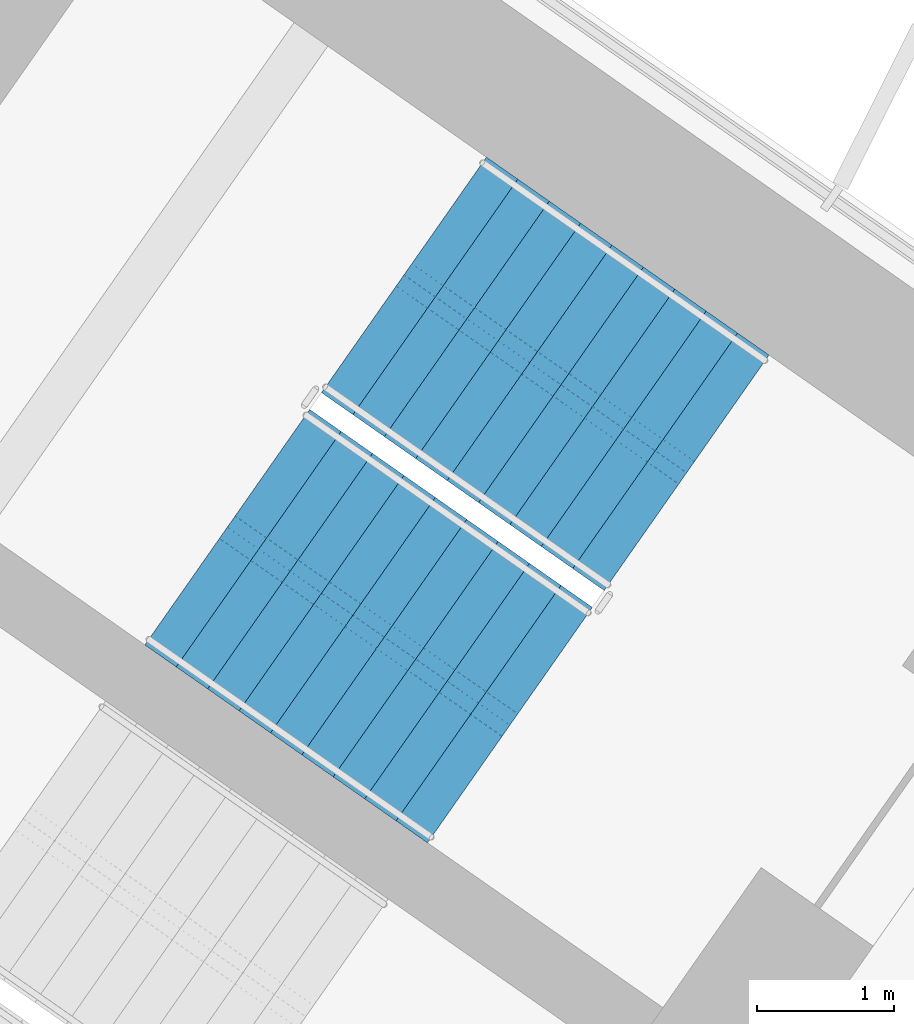
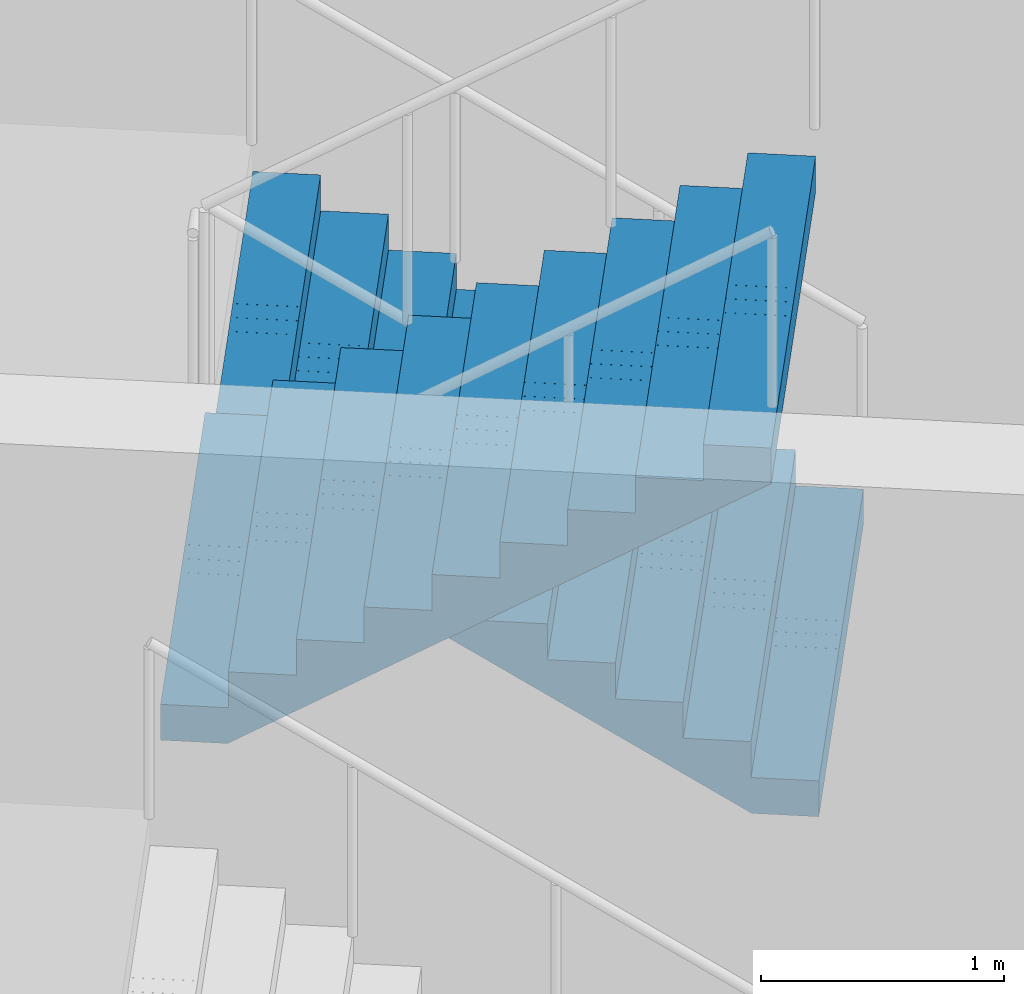
# One storey, part 17 of 23: 2 stair flights, 1 element without a shape of its own.
"""IFC4 building model written with IfcOpenShell, lengths in metres."""

from ifc_helpers import new_model, si_unit, direction, frame, origin, place, context, subcontext, project, spatial, polyline, outline, extrude, material, type_object, element, aggregate, save


model = new_model("IFC4")

# Units and contexts
model_context = context("Model", 3, precision=1e-05, world=origin(), true_north=direction((0.0, 1.0)))
body_context = subcontext(model_context, "Body", "Model", "MODEL_VIEW")
ifc_project = project(units=[si_unit("LENGTHUNIT", "METRE"), si_unit("AREAUNIT", "SQUARE_METRE"), si_unit("VOLUMEUNIT", "CUBIC_METRE"), si_unit("PLANEANGLEUNIT", "RADIAN"), si_unit("MASSUNIT", "GRAM", prefix="KILO")], contexts=[model_context])

# Site, building, storey
site_placement = place(None, origin())
site = spatial("IfcSite", under=ifc_project, at=site_placement, CompositionType="ELEMENT")
building_placement = place(site_placement, origin())
building = spatial("IfcBuilding", under=site, at=building_placement, Name="Tel Ilan Convention Tower", CompositionType="ELEMENT")
storey_placement = place(building_placement, frame((0.0, 0.0, 86.89990234375)))
storey = spatial("IfcBuildingStorey", under=building, at=storey_placement, Name="L17", CompositionType="ELEMENT", Elevation=86.89990234375)

# Stair, stair flights
ifc_material_1 = material(Name="Concrete C40/50", Category="concrete")
stair_type = type_object("IfcStairType", Name="Pressurised Exit Stair 20 risers 180 mm", PredefinedType="HALF_TURN_STAIR", material=ifc_material_1)
stair_placement = place(storey_placement, origin())
stair = element("IfcStair", 1, at=stair_placement, inside=storey, type_object=stair_type, Name="L17 Pressurised Stair S3", PredefinedType="HALF_TURN_STAIR")
ifc_material_2 = material(Name="Precast Concrete C40/50", Category="concrete")
stair_flight_type = type_object("IfcStairFlightType", Name="Concrete Stair Flight 2100 mm 20 risers 180 mm", PredefinedType="STRAIGHT", material=ifc_material_2)
stair_flight_1_placement = place(storey_placement, frame((24.25244140625, -7.032470703125, 0.0), z_axis=(0.0, 0.0, 1.0), x_axis=(-0.819152044289, 0.573576436351, 0.0)))
stair_flight_1 = element("IfcStairFlight", 2, at=stair_flight_1_placement, type_object=stair_flight_type, Name="S3 flight 1", NumberOfRisers=10, NumberOfTreads=9, PredefinedType="STRAIGHT", RiserHeight=0.18, TreadLength=0.28, context=body_context, shape_type="SweptSolid", body=[
    extrude(outline(polyline([(0.0, 0.0), (0.0, 0.179931640625), (0.280029296875, 0.179931640625), (0.280029296875, 0.360107421875), (0.56005859375, 0.360107421875), (0.56005859375, 0.5400390625), (0.840087890625, 0.5400390625), (0.840087890625, 0.719970703125), (1.1201171875, 0.719970703125), (1.1201171875, 0.89990234375), (1.39990234375, 0.89990234375), (1.39990234375, 1.080078125), (1.679931640625, 1.080078125), (1.679931640625, 1.260009765625), (1.9599609375, 1.260009765625), (1.9599609375, 1.43994140625), (2.239990234375, 1.43994140625), (2.239990234375, 1.6201171875), (2.52001953125, 1.6201171875), (2.52001953125, 1.800048828125), (2.52001953125, 1.44189453125), (0.277099609375, 0.0), (0.0, 0.0)])), frame((0.0, -0.100341796875, 0.0), z_axis=(0.0, -1.0, 0.0), x_axis=(1.0, 0.0, 0.0)), (0.0, 0.0, 1.0), 0.94970703125),
    extrude(outline(polyline([(0.0, 0.0), (0.0, 0.179931640625), (0.280029296875, 0.179931640625), (0.280029296875, 0.360107421875), (0.56005859375, 0.360107421875), (0.56005859375, 0.5400390625), (0.840087890625, 0.5400390625), (0.840087890625, 0.719970703125), (1.1201171875, 0.719970703125), (1.1201171875, 0.89990234375), (1.39990234375, 0.89990234375), (1.39990234375, 1.080078125), (1.679931640625, 1.080078125), (1.679931640625, 1.260009765625), (1.9599609375, 1.260009765625), (1.9599609375, 1.43994140625), (2.239990234375, 1.43994140625), (2.239990234375, 1.6201171875), (2.52001953125, 1.6201171875), (2.52001953125, 1.800048828125), (2.52001953125, 1.44189453125), (0.277099609375, 0.0), (0.0, 0.0)])), frame((0.0, -0.000244140625, 0.0), z_axis=(0.0, -1.0, 0.0), x_axis=(1.0, 0.0, 0.0)), (0.0, 0.0, 1.0), 0.099609375),
    extrude(outline(polyline([(0.0, 0.0), (0.0, 0.179931640625), (0.280029296875, 0.179931640625), (0.280029296875, 0.360107421875), (0.56005859375, 0.360107421875), (0.56005859375, 0.5400390625), (0.840087890625, 0.5400390625), (0.840087890625, 0.719970703125), (1.1201171875, 0.719970703125), (1.1201171875, 0.89990234375), (1.39990234375, 0.89990234375), (1.39990234375, 1.080078125), (1.679931640625, 1.080078125), (1.679931640625, 1.260009765625), (1.9599609375, 1.260009765625), (1.9599609375, 1.43994140625), (2.239990234375, 1.43994140625), (2.239990234375, 1.6201171875), (2.52001953125, 1.6201171875), (2.52001953125, 1.800048828125), (2.52001953125, 1.44189453125), (0.277099609375, 0.0), (0.0, 0.0)])), frame((0.0, 0.099853515625, 0.0), z_axis=(0.0, -1.0, 0.0), x_axis=(1.0, 0.0, 0.0)), (0.0, 0.0, 1.0), 0.099609375),
    extrude(outline(polyline([(0.0, 0.0), (0.0, 0.179931640625), (0.280029296875, 0.179931640625), (0.280029296875, 0.360107421875), (0.56005859375, 0.360107421875), (0.56005859375, 0.5400390625), (0.840087890625, 0.5400390625), (0.840087890625, 0.719970703125), (1.1201171875, 0.719970703125), (1.1201171875, 0.89990234375), (1.39990234375, 0.89990234375), (1.39990234375, 1.080078125), (1.679931640625, 1.080078125), (1.679931640625, 1.260009765625), (1.9599609375, 1.260009765625), (1.9599609375, 1.43994140625), (2.239990234375, 1.43994140625), (2.239990234375, 1.6201171875), (2.52001953125, 1.6201171875), (2.52001953125, 1.800048828125), (2.52001953125, 1.44189453125), (0.277099609375, 0.0), (0.0, 0.0)])), frame((0.0, 1.050048828125, 0.0), z_axis=(0.0, -1.0, 0.0), x_axis=(1.0, 0.0, 0.0)), (0.0, 0.0, 1.0), 0.94970703125),
])
stair_flight_2_placement = place(storey_placement, frame((20.8974609375, -7.43017578125, 1.800048828125), z_axis=(0.0, 0.0, 1.0), x_axis=(0.819152044289, -0.573576436351, 0.0)))
stair_flight_2 = element("IfcStairFlight", 3, at=stair_flight_2_placement, type_object=stair_flight_type, Name="S3 flight 2", NumberOfRisers=10, NumberOfTreads=9, PredefinedType="STRAIGHT", RiserHeight=0.18, TreadLength=0.28, context=body_context, shape_type="SweptSolid", body=[
    extrude(outline(polyline([(0.0, 0.0), (0.0, 0.179931640625), (0.280029296875, 0.179931640625), (0.280029296875, 0.360107421875), (0.56005859375, 0.360107421875), (0.56005859375, 0.5400390625), (0.840087890625, 0.5400390625), (0.840087890625, 0.719970703125), (1.1201171875, 0.719970703125), (1.1201171875, 0.89990234375), (1.39990234375, 0.89990234375), (1.39990234375, 1.080078125), (1.679931640625, 1.080078125), (1.679931640625, 1.260009765625), (1.9599609375, 1.260009765625), (1.9599609375, 1.43994140625), (2.239990234375, 1.43994140625), (2.239990234375, 1.6201171875), (2.52001953125, 1.6201171875), (2.52001953125, 1.800048828125), (2.52001953125, 1.44189453125), (0.277099609375, 0.0), (0.0, 0.0)])), frame((0.0, -0.100341796875, 0.0), z_axis=(0.0, -1.0, 0.0), x_axis=(1.0, 0.0, 0.0)), (0.0, 0.0, 1.0), 0.94970703125),
    extrude(outline(polyline([(0.0, 0.0), (0.0, 0.179931640625), (0.280029296875, 0.179931640625), (0.280029296875, 0.360107421875), (0.56005859375, 0.360107421875), (0.56005859375, 0.5400390625), (0.840087890625, 0.5400390625), (0.840087890625, 0.719970703125), (1.1201171875, 0.719970703125), (1.1201171875, 0.89990234375), (1.39990234375, 0.89990234375), (1.39990234375, 1.080078125), (1.679931640625, 1.080078125), (1.679931640625, 1.260009765625), (1.9599609375, 1.260009765625), (1.9599609375, 1.43994140625), (2.239990234375, 1.43994140625), (2.239990234375, 1.6201171875), (2.52001953125, 1.6201171875), (2.52001953125, 1.800048828125), (2.52001953125, 1.44189453125), (0.277099609375, 0.0), (0.0, 0.0)])), frame((0.0, -0.000244140625, 0.0), z_axis=(0.0, -1.0, 0.0), x_axis=(1.0, 0.0, 0.0)), (0.0, 0.0, 1.0), 0.099609375),
    extrude(outline(polyline([(0.0, 0.0), (0.0, 0.179931640625), (0.280029296875, 0.179931640625), (0.280029296875, 0.360107421875), (0.56005859375, 0.360107421875), (0.56005859375, 0.5400390625), (0.840087890625, 0.5400390625), (0.840087890625, 0.719970703125), (1.1201171875, 0.719970703125), (1.1201171875, 0.89990234375), (1.39990234375, 0.89990234375), (1.39990234375, 1.080078125), (1.679931640625, 1.080078125), (1.679931640625, 1.260009765625), (1.9599609375, 1.260009765625), (1.9599609375, 1.43994140625), (2.239990234375, 1.43994140625), (2.239990234375, 1.6201171875), (2.52001953125, 1.6201171875), (2.52001953125, 1.800048828125), (2.52001953125, 1.44189453125), (0.277099609375, 0.0), (0.0, 0.0)])), frame((0.0, 0.099853515625, 0.0), z_axis=(0.0, -1.0, 0.0), x_axis=(1.0, 0.0, 0.0)), (0.0, 0.0, 1.0), 0.099609375),
    extrude(outline(polyline([(0.0, 0.0), (0.0, 0.179931640625), (0.280029296875, 0.179931640625), (0.280029296875, 0.360107421875), (0.56005859375, 0.360107421875), (0.56005859375, 0.5400390625), (0.840087890625, 0.5400390625), (0.840087890625, 0.719970703125), (1.1201171875, 0.719970703125), (1.1201171875, 0.89990234375), (1.39990234375, 0.89990234375), (1.39990234375, 1.080078125), (1.679931640625, 1.080078125), (1.679931640625, 1.260009765625), (1.9599609375, 1.260009765625), (1.9599609375, 1.43994140625), (2.239990234375, 1.43994140625), (2.239990234375, 1.6201171875), (2.52001953125, 1.6201171875), (2.52001953125, 1.800048828125), (2.52001953125, 1.44189453125), (0.277099609375, 0.0), (0.0, 0.0)])), frame((0.0, 1.050048828125, 0.0), z_axis=(0.0, -1.0, 0.0), x_axis=(1.0, 0.0, 0.0)), (0.0, 0.0, 1.0), 0.94970703125),
])
aggregate(stair, [stair_flight_1, stair_flight_2])

save(model, "model.ifc")
